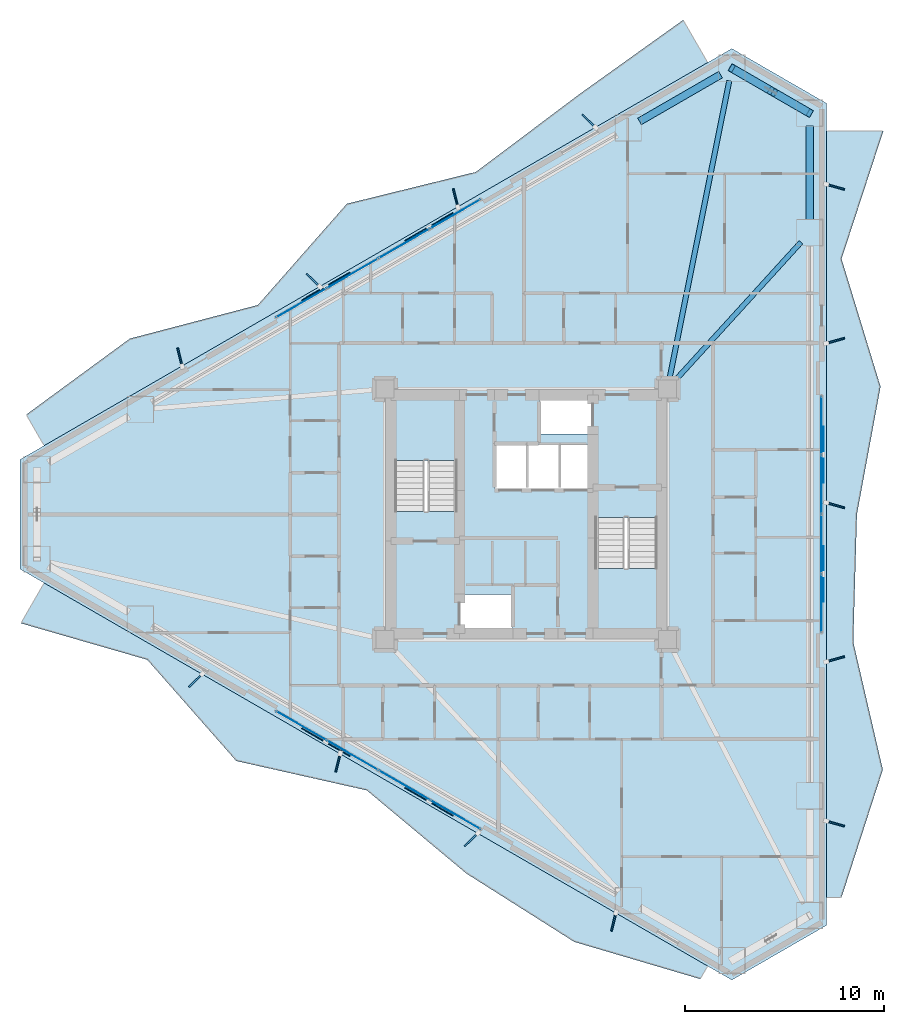
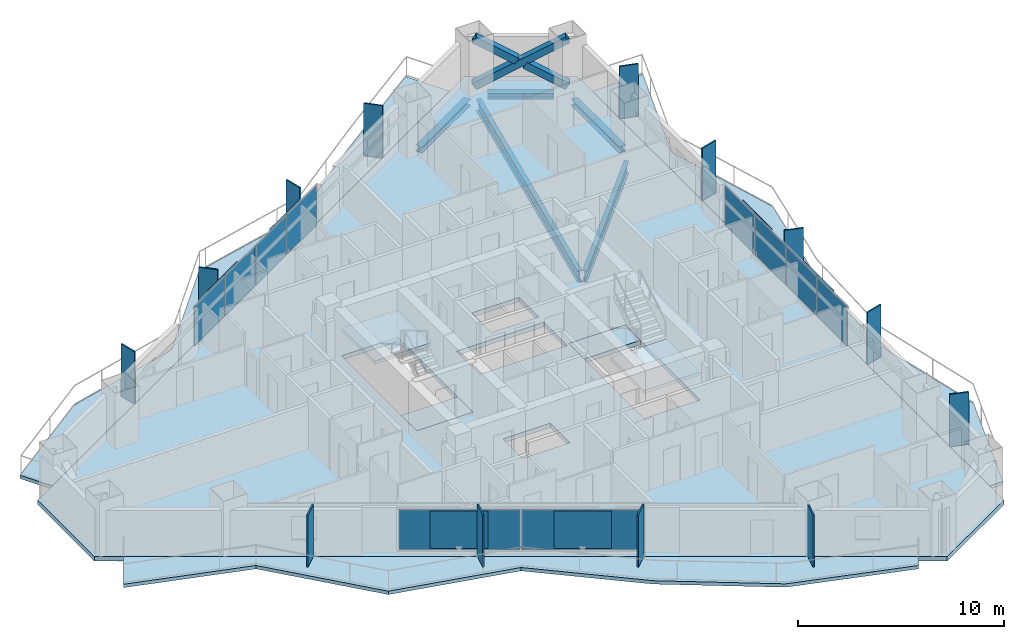
# One storey, part 10 of 18: 31 plates, 8 slabs, 5 beams, 3 members, 5 elements without a shape of their own.
"""IFC4 building model written with IfcOpenShell, lengths in metres."""

import ifcopenshell
import ifcopenshell.guid

model = None  # the IFC model being written
_history = None  # IfcOwnerHistory: only IFC2X3 demands one
_inside = {}  # id of a spatial element -> (the spatial element, [elements in it])
_under = {}  # id of a project, library or spatial element -> (it, [spatial elements below it])
_declared = {}  # id of a project -> (the project, [libraries it declares])
_typed = {}  # id of a type object -> (the type object, [elements of that type])
_made_of = {}  # id of a material, layer set ... -> (it, [elements and type objects made of it])


def new_model(schema):
    """Start an empty IFC model of exactly this schema.

    Asked for "IFC4X3", IfcOpenShell would pick the latest addendum, in which some entities
    have other attributes; the version numbers below select the first issue.
    IFC2X3 requires an IfcOwnerHistory on every rooted entity: one is made here for all.
    """
    global model, _history
    if schema == "IFC4X3":
        model = ifcopenshell.file(schema_version=(4, 3, 0, 0))
    else:
        model = ifcopenshell.file(schema=schema)
    _inside.clear()
    _under.clear()
    _declared.clear()
    _typed.clear()
    _made_of.clear()
    _history = None
    if model.schema == "IFC2X3":
        org = make("IfcOrganization", Name="unknown")
        user = make(
            "IfcPersonAndOrganization",
            ThePerson=make("IfcPerson", FamilyName="unknown"),
            TheOrganization=org,
        )
        app = make(
            "IfcApplication",
            ApplicationDeveloper=org,
            Version="unknown",
            ApplicationFullName="unknown",
            ApplicationIdentifier="unknown",
        )
        _history = make(
            "IfcOwnerHistory",
            OwningUser=user,
            OwningApplication=app,
            ChangeAction="ADDED",
            CreationDate=0,
        )
    return model


def make(cls, **values):
    """One entity of the class cls with the attributes given. An attribute that is None is left unset."""
    return model.create_entity(
        cls, **{name: value for name, value in values.items() if value is not None}
    )


def rooted(cls, **values):
    """An entity with a GlobalId (a new one), such as an element, a storey or a relation."""
    return make(cls, GlobalId=ifcopenshell.guid.new(), OwnerHistory=_history, **values)


def si_unit(unit_type, name, prefix=None):
    """IfcSIUnit, for example si_unit("LENGTHUNIT", "METRE", prefix="MILLI")."""
    return make("IfcSIUnit", UnitType=unit_type, Prefix=prefix, Name=name)


def assignment(units):
    """IfcUnitAssignment: the units of a project."""
    return None if units is None else make("IfcUnitAssignment", Units=units)


def point(xyz):
    """IfcCartesianPoint."""
    return None if xyz is None else make("IfcCartesianPoint", Coordinates=xyz)


def direction(xyz):
    """IfcDirection."""
    return None if xyz is None else make("IfcDirection", DirectionRatios=xyz)


def frame(location, z_axis=None, x_axis=None):
    """IfcAxis2Placement3D, a coordinate frame: its origin and axes. An axis left out is left unset."""
    return make(
        "IfcAxis2Placement3D",
        Location=point(location),
        Axis=direction(z_axis),
        RefDirection=direction(x_axis),
    )


def frame_2d(location, x_axis=None):
    """IfcAxis2Placement2D, a coordinate frame in the plane: its origin and x axis."""
    return make(
        "IfcAxis2Placement2D", Location=point(location), RefDirection=direction(x_axis)
    )


def origin():
    """The frame at (0, 0, 0) with its axes left unset."""
    return frame((0.0, 0.0, 0.0))


def origin_2d():
    """The frame at (0, 0) in the plane with its x axis left unset."""
    return frame_2d((0.0, 0.0))


def place(relative_to, where):
    """IfcLocalPlacement: puts the frame where relative to a parent placement (None: the world)."""
    return make(
        "IfcLocalPlacement", PlacementRelTo=relative_to, RelativePlacement=where
    )


def context(
    kind, dimensions, precision=None, world=None, true_north=None, identifier=None
):
    """IfcGeometricRepresentationContext, for example the 3D "Model" context."""
    return make(
        "IfcGeometricRepresentationContext",
        ContextIdentifier=identifier,
        ContextType=kind,
        CoordinateSpaceDimension=dimensions,
        Precision=precision,
        WorldCoordinateSystem=world,
        TrueNorth=true_north,
    )


def subcontext(parent, identifier, kind, view, scale=None):
    """IfcGeometricRepresentationSubContext, for example "Body" below "Model"."""
    return make(
        "IfcGeometricRepresentationSubContext",
        ContextIdentifier=identifier,
        ContextType=kind,
        ParentContext=parent,
        TargetScale=scale,
        TargetView=view,
    )


def project(units=None, contexts=None):
    """IfcProject with its units and contexts."""
    return rooted(
        "IfcProject",
        Name="project",
        RepresentationContexts=contexts,
        UnitsInContext=assignment(units),
    )


def spatial(cls, under=None, at=None, **own):
    """A site, building, storey or space (cls), placed at a placement, below another one or the project."""
    s = rooted(cls, ObjectPlacement=at, **own)
    if under is not None:
        _under.setdefault(under.id(), (under, []))[1].append(s)
    return s


def polyline(points):
    """IfcPolyline through the points."""
    return make("IfcPolyline", Points=[point(p) for p in points])


def profile(cls, at=None, kind="AREA", **sizes):
    """A parametric profile (cls). Its sizes go by their IFC names, for example OverallWidth=200.0."""
    return make(cls, ProfileType=kind, Position=at, **sizes)


def rectangle(**sizes):
    """IfcRectangleProfileDef."""
    return profile("IfcRectangleProfileDef", **sizes)


def hollow_rectangle(**sizes):
    """IfcRectangleHollowProfileDef."""
    return profile("IfcRectangleHollowProfileDef", **sizes)


def i_section(**sizes):
    """IfcIShapeProfileDef."""
    return profile("IfcIShapeProfileDef", **sizes)


def outline(outer, holes=None, kind="AREA"):
    """IfcArbitraryClosedProfileDef: a profile drawn as a closed curve; with holes, ...WithVoids."""
    if holes is None:
        return make("IfcArbitraryClosedProfileDef", ProfileType=kind, OuterCurve=outer)
    return make(
        "IfcArbitraryProfileDefWithVoids",
        ProfileType=kind,
        OuterCurve=outer,
        InnerCurves=holes,
    )


def extrude(swept, where, along, depth):
    """IfcExtrudedAreaSolid: the profile swept, set in the frame where, extruded along a direction by depth."""
    return make(
        "IfcExtrudedAreaSolid",
        SweptArea=swept,
        Position=where,
        ExtrudedDirection=direction(along),
        Depth=depth,
    )


def shape(context_of_items, identifier, shape_type, items):
    """IfcShapeRepresentation: the items that make up one representation, for example the "Body"."""
    return make(
        "IfcShapeRepresentation",
        ContextOfItems=context_of_items,
        RepresentationIdentifier=identifier,
        RepresentationType=shape_type,
        Items=items,
    )


def material(Name=None, Category=None):
    """IfcMaterial."""
    return make("IfcMaterial", Name=Name, Category=Category)


def layer(
    of_material, thickness, ventilated=None, Name=None, Category=None, Priority=None
):
    """IfcMaterialLayer: one layer of a wall or slab, of a material (None: an air gap)."""
    return make(
        "IfcMaterialLayer",
        Material=of_material,
        LayerThickness=thickness,
        IsVentilated=ventilated,
        Name=Name,
        Category=Category,
        Priority=Priority,
    )


def layer_set(layers, Name=None):
    """IfcMaterialLayerSet."""
    return make("IfcMaterialLayerSet", MaterialLayers=layers, LayerSetName=Name)


def material_profile(
    of_material, cross_section, Name=None, Category=None, Priority=None
):
    """IfcMaterialProfile: a cross section and its material."""
    return make(
        "IfcMaterialProfile",
        Name=Name,
        Material=of_material,
        Profile=cross_section,
        Priority=Priority,
        Category=Category,
    )


def profile_set(profiles, Name=None, composite=None):
    """IfcMaterialProfileSet."""
    return make(
        "IfcMaterialProfileSet",
        Name=Name,
        MaterialProfiles=profiles,
        CompositeProfile=composite,
    )


def made_of(thing, what):
    """Note that an element or type object is made of a material, layer set ...; save() writes the relation."""
    if what is not None:
        _made_of.setdefault(what.id(), (what, []))[1].append(thing)
    return thing


def type_object(cls, material=None, **own):
    """A type object (cls), such as IfcWallType, which elements share."""
    return made_of(rooted(cls, **own), material)


def element(
    cls,
    number,
    at=None,
    inside=None,
    cuts=None,
    type_object=None,
    material=None,
    context=None,
    identifier="Body",
    shape_type=None,
    held_by="IfcProductDefinitionShape",
    body=None,
    shapes=None,
    **own,
):
    """One element of the class cls, such as IfcWall. Its Tag is "e" and its number.

    at: its placement. inside: the storey or other place that contains it. cuts: it is an
    opening in that element (IfcRelVoidsElement). A single representation is given by context,
    identifier, shape_type and body (its items); several are given by shapes. held_by: the class
    of the entity that holds the representations. save() writes the other relations.
    """
    e = rooted(cls, Tag="e%d" % number, ObjectPlacement=at, **own)
    if body is not None:
        shapes = [shape(context, identifier, shape_type, body)]
    if shapes is not None:
        e.Representation = make(held_by, Representations=shapes)
    if inside is not None:
        _inside.setdefault(inside.id(), (inside, []))[1].append(e)
    if cuts is not None:
        rooted(
            "IfcRelVoidsElement", RelatingBuildingElement=cuts, RelatedOpeningElement=e
        )
    if type_object is not None:
        _typed.setdefault(type_object.id(), (type_object, []))[1].append(e)
    return made_of(e, material)


def aggregate(whole, parts):
    """IfcRelAggregates: a whole, such as a stair, and the parts it consists of."""
    return rooted("IfcRelAggregates", RelatingObject=whole, RelatedObjects=parts)


def save(model, path):
    """Write the relations noted so far, then the file.

    IfcRelAggregates (storeys below a building ...), IfcRelContainedInSpatialStructure (elements
    in a storey), IfcRelDefinesByType, IfcRelAssociatesMaterial and IfcRelDeclares: one each for
    every whole, place, type object, material and project.
    """
    for whole, parts in _under.values():
        aggregate(whole, parts)
    for where, things in _inside.values():
        rooted(
            "IfcRelContainedInSpatialStructure",
            RelatedElements=things,
            RelatingStructure=where,
        )
    for kind, things in _typed.values():
        rooted("IfcRelDefinesByType", RelatedObjects=things, RelatingType=kind)
    for what, things in _made_of.values():
        rooted("IfcRelAssociatesMaterial", RelatedObjects=things, RelatingMaterial=what)
    for by, libraries in _declared.values():
        rooted("IfcRelDeclares", RelatingContext=by, RelatedDefinitions=libraries)
    model.write(path)


model = new_model("IFC4")

# Units and contexts
model_context = context("Model", 3, precision=1e-05, world=origin(), true_north=direction((0.0, 1.0)))
body_context = subcontext(model_context, "Body", "Model", "MODEL_VIEW")
ifc_project = project(units=[si_unit("LENGTHUNIT", "METRE"), si_unit("AREAUNIT", "SQUARE_METRE"), si_unit("VOLUMEUNIT", "CUBIC_METRE"), si_unit("PLANEANGLEUNIT", "RADIAN"), si_unit("MASSUNIT", "GRAM", prefix="KILO")], contexts=[model_context])

# Site, building, storey
site_placement = place(None, origin())
site = spatial("IfcSite", under=ifc_project, at=site_placement, CompositionType="ELEMENT")
building_placement = place(site_placement, origin())
building = spatial("IfcBuilding", under=site, at=building_placement, Name="Mersakhor Tower and Convention Hall", CompositionType="ELEMENT")
storey_placement = place(building_placement, frame((0.0, 0.0, 32.39990234375)))
storey = spatial("IfcBuildingStorey", under=building, at=storey_placement, Name="L08", CompositionType="ELEMENT", Elevation=32.39990234375)

# Beams
ifc_material_1 = material(Name="Steel S355", Category="steel")
ifc_material_profile_1 = material_profile(ifc_material_1, i_section(OverallWidth=0.25439453125, OverallDepth=0.6875, WebThickness=0.01318359375, FlangeThickness=0.02099609375, at=origin_2d()), Name="UB 686x254x152")
ifc_profile_set_1 = profile_set([ifc_material_profile_1], Name="Steel S355")
beam_type_1 = type_object("IfcBeamType", Name="BM-PR-686", PredefinedType="BEAM", material=ifc_profile_set_1)
beam_1_placement = place(storey_placement, frame((36.1845703125, 33.4716796875, -0.603515625), z_axis=(0.196849718138, 0.980433673672, 0.0), x_axis=(-0.980433673672, 0.196849718138, 0.0)))
element("IfcBeam", 1, at=beam_1_placement, inside=storey, type_object=beam_type_1, Name="L08 Primary Floor Girder FG-2", PredefinedType="BEAM", context=body_context, shape_type="SweptSolid", body=[
    extrude(i_section(OverallWidth=0.25439453125, OverallDepth=0.6875, WebThickness=0.01318359375, FlangeThickness=0.02099609375, at=origin_2d()), origin(), (0.0, 0.0, 1.0), 15.359130859375),
])
beam_2_placement = place(storey_placement, frame((36.389404296875, 33.367919921875, -0.603515625), z_axis=(0.67316322447, 0.739493930483, 0.0), x_axis=(-0.739493930483, 0.67316322447, 0.0)))
element("IfcBeam", 2, at=beam_2_placement, inside=storey, type_object=beam_type_1, Name="L08 Primary Floor Girder FG-3", PredefinedType="BEAM", context=body_context, shape_type="SweptSolid", body=[
    extrude(i_section(OverallWidth=0.25439453125, OverallDepth=0.6875, WebThickness=0.01318359375, FlangeThickness=0.02099609375, at=origin_2d()), origin(), (0.0, 0.0, 1.0), 9.53662109375),
])
ifc_material_2 = material(Name="Steel S355", Category="steel")
ifc_material_profile_2 = material_profile(ifc_material_2, i_section(OverallWidth=0.374755859375, OverallDepth=0.37451171875, WebThickness=0.0166015625, FlangeThickness=0.027099609375, at=origin_2d()), Name="UC 356x368x202")
ifc_profile_set_2 = profile_set([ifc_material_profile_2], Name="Steel S355")
beam_type_2 = type_object("IfcBeamType", Name="BM-SPD-UC356", PredefinedType="SPANDREL", material=ifc_profile_set_2)
beam_3_placement = place(storey_placement, frame((34.700439453125, 46.49560546875, -0.447265625), z_axis=(0.866031574723, 0.499989311469, 0.0), x_axis=(-0.499989311469, 0.866031574723, 0.0)))
element("IfcBeam", 3, at=beam_3_placement, inside=storey, type_object=beam_type_2, Name="L08 Perimeter Spandrel Beam SPB-03", PredefinedType="SPANDREL", context=body_context, shape_type="SweptSolid", body=[
    extrude(i_section(OverallWidth=0.374755859375, OverallDepth=0.37451171875, WebThickness=0.0166015625, FlangeThickness=0.027099609375, at=origin_2d()), origin(), (0.0, 0.0, 1.0), 4.69873046875),
])
beam_4_placement = place(storey_placement, frame((39.904052734375, 48.844970703125, -0.447265625), z_axis=(0.866038607556, -0.4999771297, 0.0), x_axis=(0.4999771297, 0.866038607556, 0.0)))
element("IfcBeam", 4, at=beam_4_placement, inside=storey, type_object=beam_type_2, Name="L08 Perimeter Spandrel Beam SPB-04", PredefinedType="SPANDREL", context=body_context, shape_type="SweptSolid", body=[
    extrude(i_section(OverallWidth=0.374755859375, OverallDepth=0.37451171875, WebThickness=0.0166015625, FlangeThickness=0.027099609375, at=origin_2d()), origin(), (0.0, 0.0, 1.0), 3.208740234375),
])
beam_5_placement = place(storey_placement, frame((43.25, 46.25830078125, -0.447265625), z_axis=(0.0, -1.0, 0.0), x_axis=(1.0, 0.0, 0.0)))
element("IfcBeam", 5, at=beam_5_placement, inside=storey, type_object=beam_type_2, Name="L08 Perimeter Spandrel Beam SPB-05", PredefinedType="SPANDREL", context=body_context, shape_type="SweptSolid", body=[
    extrude(i_section(OverallWidth=0.374755859375, OverallDepth=0.37451171875, WebThickness=0.0166015625, FlangeThickness=0.027099609375, at=origin_2d()), origin(), (0.0, 0.0, 1.0), 4.69873046875),
])

# Members
ifc_material_3 = material(Name="Steel S460", Category="steel")
ifc_material_profile_3 = material_profile(ifc_material_3, hollow_rectangle(XDim=0.39990234375, YDim=0.39990234375, WallThickness=0.02490234375, at=origin_2d()), Name="SHS 400x400x25")
ifc_profile_set_3 = profile_set([ifc_material_profile_3], Name="Steel S460")
member_type = type_object("IfcMemberType", Name="MB-BRC-SHS400", PredefinedType="BRACE", material=ifc_profile_set_3)
member_1_placement = place(storey_placement, frame((39.3369140625, 49.172607421875, 0.150146484375), z_axis=(0.740507772322, -0.427542982597, 0.518512523632), x_axis=(0.500009315796, 0.86602002524, 0.0)))
element("IfcMember", 6, at=member_1_placement, inside=storey, type_object=member_type, Name="L08 Chamfer Braced Frame Diagonal CB-1A", PredefinedType="BRACE", context=body_context, shape_type="SweptSolid", body=[
    extrude(hollow_rectangle(XDim=0.39990234375, YDim=0.39990234375, WallThickness=0.02490234375, at=origin_2d()), origin(), (0.0, 0.0, 1.0), 5.284423828125),
])
member_2_placement = place(storey_placement, frame((43.25, 46.913330078125, 0.150146484375), z_axis=(-0.740544200614, 0.427541122117, 0.51846202931), x_axis=(-0.499989236795, -0.866031617834, 0.0)))
element("IfcMember", 7, at=member_2_placement, inside=storey, type_object=member_type, Name="L08 Chamfer Braced Frame Diagonal CB-1B Lower Half", PredefinedType="BRACE", context=body_context, shape_type="SweptSolid", body=[
    extrude(hollow_rectangle(XDim=0.39990234375, YDim=0.39990234375, WallThickness=0.02490234375, at=origin_2d()), origin(), (0.0, 0.0, 1.0), 2.40869140625),
])
member_3_placement = place(storey_placement, frame((41.12060546875, 48.142578125, 1.64111328125), z_axis=(-0.740473193976, 0.427601478974, 0.51851366827), x_axis=(-0.500078132948, -0.865980289006, 0.0)))
element("IfcMember", 8, at=member_3_placement, inside=storey, type_object=member_type, Name="L08 Chamfer Braced Frame Diagonal CB-1B Upper Half", PredefinedType="BRACE", context=body_context, shape_type="SweptSolid", body=[
    extrude(hollow_rectangle(XDim=0.39990234375, YDim=0.39990234375, WallThickness=0.02490234375, at=origin_2d()), origin(), (0.0, 0.0, 1.0), 2.408935546875),
])

# Curtain wall, plates
ifc_material_4 = material(Name="Dark solar low-E aluminium curtain wall", Category="aluminium")
ifc_layer_1 = layer(ifc_material_4, 0.159912109375)
ifc_layer_set_1 = layer_set([ifc_layer_1], Name="Dark solar low-E aluminium curtain wall")
curtain_wall_type = type_object("IfcCurtainWallType", Name="CW-SYS-01", PredefinedType="USERDEFINED", material=ifc_layer_set_1)
curtain_wall_1_placement = place(storey_placement, origin())
curtain_wall_1 = element("IfcCurtainWall", 9, at=curtain_wall_1_placement, inside=storey, type_object=curtain_wall_type, Name="L08 Dark-Glass Curtain Wall F1-B2", ObjectType="CURTAIN WALL", PredefinedType="USERDEFINED")
ifc_material_5 = material(Name="Dark solar double glazing", Category="glass")
ifc_layer_2 = layer(ifc_material_5, 0.02392578125)
ifc_layer_set_2 = layer_set([ifc_layer_2], Name="Dark solar double glazing")
plate_type_1 = type_object("IfcPlateType", Name="CWP-GLZ-24", PredefinedType="CURTAIN_PANEL", material=ifc_layer_set_2)
plate_1_placement = place(storey_placement, frame((17.702880859375, 37.375, 0.26025390625), z_axis=(0.0, 0.0, 1.0), x_axis=(0.866023412558, 0.50000344889, 0.0)))
plate_1 = element("IfcPlate", 10, at=plate_1_placement, type_object=plate_type_1, Name="CW-01 panel 1.1", PredefinedType="CURTAIN_PANEL", context=body_context, shape_type="SweptSolid", body=[
    extrude(rectangle(XDim=2.880859375, YDim=0.02392578125, at=origin_2d()), origin(), (0.0, 0.0, 1.0), 2.340087890625),
])
plate_2_placement = place(storey_placement, frame((20.27880859375, 38.862060546875, 0.26025390625), z_axis=(0.0, 0.0, 1.0), x_axis=(0.866023412558, 0.50000344889, 0.0)))
plate_2 = element("IfcPlate", 11, at=plate_2_placement, type_object=plate_type_1, Name="CW-01 panel 2.1", PredefinedType="CURTAIN_PANEL", context=body_context, shape_type="SweptSolid", body=[
    extrude(rectangle(XDim=2.918212890625, YDim=0.02392578125, at=origin_2d()), origin(), (0.0, 0.0, 1.0), 2.340087890625),
])
plate_3_placement = place(storey_placement, frame((22.87109375, 40.35888671875, 0.26025390625), z_axis=(0.0, 0.0, 1.0), x_axis=(0.866023412558, 0.50000344889, 0.0)))
plate_3 = element("IfcPlate", 12, at=plate_3_placement, type_object=plate_type_1, Name="CW-01 panel 3.1", PredefinedType="CURTAIN_PANEL", context=body_context, shape_type="SweptSolid", body=[
    extrude(rectangle(XDim=2.918212890625, YDim=0.02392578125, at=origin_2d()), origin(), (0.0, 0.0, 1.0), 2.340087890625),
])
plate_4_placement = place(storey_placement, frame((25.447021484375, 41.84619140625, 0.26025390625), z_axis=(0.0, 0.0, 1.0), x_axis=(0.866023412558, 0.50000344889, 0.0)))
plate_4 = element("IfcPlate", 13, at=plate_4_placement, type_object=plate_type_1, Name="CW-01 panel 4.1", PredefinedType="CURTAIN_PANEL", context=body_context, shape_type="SweptSolid", body=[
    extrude(rectangle(XDim=2.880859375, YDim=0.02392578125, at=origin_2d()), origin(), (0.0, 0.0, 1.0), 2.340087890625),
])
aggregate(curtain_wall_1, [plate_1, plate_2, plate_3, plate_4])

curtain_wall_2_placement = place(storey_placement, origin())
curtain_wall_2 = element("IfcCurtainWall", 14, at=curtain_wall_2_placement, inside=storey, type_object=curtain_wall_type, Name="L08 Dark-Glass Curtain Wall F2-B2", ObjectType="CURTAIN WALL", PredefinedType="USERDEFINED")
plate_5_placement = place(storey_placement, frame((43.85009765625, 31.22119140625, 0.26025390625), z_axis=(0.0, 0.0, 1.0), x_axis=(0.0, -1.0, 0.0)))
plate_5 = element("IfcPlate", 15, at=plate_5_placement, type_object=plate_type_1, Name="CW-01 panel 1.1", PredefinedType="CURTAIN_PANEL", context=body_context, shape_type="SweptSolid", body=[
    extrude(rectangle(XDim=2.880859375, YDim=0.02392578125, at=origin_2d()), origin(), (0.0, 0.0, 1.0), 2.340087890625),
])
plate_6_placement = place(storey_placement, frame((43.85009765625, 28.24658203125, 0.26025390625), z_axis=(0.0, 0.0, 1.0), x_axis=(0.0, -1.0, 0.0)))
plate_6 = element("IfcPlate", 16, at=plate_6_placement, type_object=plate_type_1, Name="CW-01 panel 2.1", PredefinedType="CURTAIN_PANEL", context=body_context, shape_type="SweptSolid", body=[
    extrude(rectangle(XDim=2.918212890625, YDim=0.02392578125, at=origin_2d()), origin(), (0.0, 0.0, 1.0), 2.340087890625),
])
plate_7_placement = place(storey_placement, frame((43.85009765625, 25.25341796875, 0.26025390625), z_axis=(0.0, 0.0, 1.0), x_axis=(0.0, -1.0, 0.0)))
plate_7 = element("IfcPlate", 17, at=plate_7_placement, type_object=plate_type_1, Name="CW-01 panel 3.1", PredefinedType="CURTAIN_PANEL", context=body_context, shape_type="SweptSolid", body=[
    extrude(rectangle(XDim=2.918212890625, YDim=0.02392578125, at=origin_2d()), origin(), (0.0, 0.0, 1.0), 2.340087890625),
])
plate_8_placement = place(storey_placement, frame((43.85009765625, 22.27880859375, 0.26025390625), z_axis=(0.0, 0.0, 1.0), x_axis=(0.0, -1.0, 0.0)))
plate_8 = element("IfcPlate", 18, at=plate_8_placement, type_object=plate_type_1, Name="CW-01 panel 4.1", PredefinedType="CURTAIN_PANEL", context=body_context, shape_type="SweptSolid", body=[
    extrude(rectangle(XDim=2.880859375, YDim=0.02392578125, at=origin_2d()), origin(), (0.0, 0.0, 1.0), 2.340087890625),
])
aggregate(curtain_wall_2, [plate_5, plate_6, plate_7, plate_8])

curtain_wall_3_placement = place(storey_placement, origin())
curtain_wall_3 = element("IfcCurtainWall", 19, at=curtain_wall_3_placement, inside=storey, type_object=curtain_wall_type, Name="L08 Dark-Glass Curtain Wall F3-B2", ObjectType="CURTAIN WALL", PredefinedType="USERDEFINED")
plate_9_placement = place(storey_placement, frame((25.447021484375, 11.65380859375, 0.26025390625), z_axis=(0.0, 0.0, 1.0), x_axis=(-0.866023412558, 0.50000344889, 0.0)))
plate_9 = element("IfcPlate", 20, at=plate_9_placement, type_object=plate_type_1, Name="CW-01 panel 1.1", PredefinedType="CURTAIN_PANEL", context=body_context, shape_type="SweptSolid", body=[
    extrude(rectangle(XDim=2.880859375, YDim=0.02392578125, at=origin_2d()), origin(), (0.0, 0.0, 1.0), 2.340087890625),
])
plate_10_placement = place(storey_placement, frame((22.87109375, 13.14111328125, 0.26025390625), z_axis=(0.0, 0.0, 1.0), x_axis=(-0.866023412558, 0.50000344889, 0.0)))
plate_10 = element("IfcPlate", 21, at=plate_10_placement, type_object=plate_type_1, Name="CW-01 panel 2.1", PredefinedType="CURTAIN_PANEL", context=body_context, shape_type="SweptSolid", body=[
    extrude(rectangle(XDim=2.918212890625, YDim=0.02392578125, at=origin_2d()), origin(), (0.0, 0.0, 1.0), 2.340087890625),
])
plate_11_placement = place(storey_placement, frame((20.27880859375, 14.637939453125, 0.26025390625), z_axis=(0.0, 0.0, 1.0), x_axis=(-0.866023412558, 0.50000344889, 0.0)))
plate_11 = element("IfcPlate", 22, at=plate_11_placement, type_object=plate_type_1, Name="CW-01 panel 3.1", PredefinedType="CURTAIN_PANEL", context=body_context, shape_type="SweptSolid", body=[
    extrude(rectangle(XDim=2.918212890625, YDim=0.02392578125, at=origin_2d()), origin(), (0.0, 0.0, 1.0), 2.340087890625),
])
plate_12_placement = place(storey_placement, frame((17.702880859375, 16.125, 0.26025390625), z_axis=(0.0, 0.0, 1.0), x_axis=(-0.866023412558, 0.50000344889, 0.0)))
plate_12 = element("IfcPlate", 23, at=plate_12_placement, type_object=plate_type_1, Name="CW-01 panel 4.1", PredefinedType="CURTAIN_PANEL", context=body_context, shape_type="SweptSolid", body=[
    extrude(rectangle(XDim=2.880859375, YDim=0.02392578125, at=origin_2d()), origin(), (0.0, 0.0, 1.0), 2.340087890625),
])
aggregate(curtain_wall_3, [plate_9, plate_10, plate_11, plate_12])

# Plates
ifc_material_6 = material(Name="Ceramic-clad aluminium Zone 1 cobalt-slate", Category="masonry")
ifc_material_7 = material(Name="Ceramic-clad aluminium Zone 1 cobalt-slate", Category="masonry")
ifc_layer_3 = layer(ifc_material_7, 0.080078125)
ifc_layer_set_3 = layer_set([ifc_layer_3], Name="Ceramic-clad aluminium Zone 1 cobalt-slate")
plate_type_2 = type_object("IfcPlateType", Name="PL-FIN-80", PredefinedType="USERDEFINED", material=ifc_layer_set_3)
for number, where, z_axis, x_axis, name in (
    (24, (11.598876953125, 34.6435546875, 0.0), (0.0, 0.0, 1.0), (-0.2419218956, 0.970295726276, 0.0), "L08 Zone 1 Coloured Brise-Soleil Fin F1-1"),
    (25, (18.30029296875, 38.5126953125, 0.0), (0.0, 0.0, 1.0), (-0.719339800339, 0.694658370459, 0.0), "L08 Zone 1 Coloured Brise-Soleil Fin F1-2"),
    (26, (25.455078125, 42.6435546875, 0.0), (0.0, 0.0, 1.0), (-0.2419218956, 0.970295726276, 0.0), "L08 Zone 1 Coloured Brise-Soleil Fin F1-3"),
    (27, (32.15673828125, 46.5126953125, 0.0), (0.0, 0.0, 1.0), (-0.719339800339, 0.694658370459, 0.0), "L08 Zone 1 Coloured Brise-Soleil Fin F1-4"),
    (28, (44.53662109375, 43.206298828125, 0.0), (0.0, 0.0, 1.0), (0.961261695938, -0.275637355817, 0.0), "L08 Zone 1 Coloured Brise-Soleil Fin F2-1"),
    (29, (44.53662109375, 35.46826171875, 0.0), (0.0, 0.0, 1.0), (0.961261695938, 0.275637355817, 0.0), "L08 Zone 1 Coloured Brise-Soleil Fin F2-2"),
    (30, (44.53662109375, 27.206298828125, 0.0), (0.0, 0.0, 1.0), (0.961261695938, -0.275637355817, 0.0), "L08 Zone 1 Coloured Brise-Soleil Fin F2-3"),
    (31, (44.53662109375, 19.46826171875, 0.0), (0.0, 0.0, 1.0), (0.961261695938, 0.275637355817, 0.0), "L08 Zone 1 Coloured Brise-Soleil Fin F2-4"),
    (32, (44.53662109375, 11.206298828125, 0.0), (0.0, 0.0, 1.0), (0.961261695938, -0.275637355817, 0.0), "L08 Zone 1 Coloured Brise-Soleil Fin F2-5"),
    (33, (33.400634765625, 6.26904296875, 0.0), (0.0, 0.0, 1.0), (-0.2419218956, -0.970295726276, 0.0), "L08 Zone 1 Coloured Brise-Soleil Fin F3-1"),
    (34, (26.245849609375, 10.39990234375, 0.0), (0.0, 0.0, 1.0), (-0.719339800339, -0.694658370459, 0.0), "L08 Zone 1 Coloured Brise-Soleil Fin F3-2"),
    (35, (19.544189453125, 14.26904296875, 0.0), (0.0, 0.0, 1.0), (-0.2419218956, -0.970295726276, 0.0), "L08 Zone 1 Coloured Brise-Soleil Fin F3-3"),
    (36, (12.389404296875, 18.39990234375, 0.0), (0.0, 0.0, 1.0), (-0.719339800339, -0.694658370459, 0.0), "L08 Zone 1 Coloured Brise-Soleil Fin F3-4"),
):
    element("IfcPlate", number, at=place(storey_placement, frame(where, z_axis=z_axis, x_axis=x_axis)), inside=storey, type_object=plate_type_2, material=ifc_material_6, Name=name, ObjectType="FIN", PredefinedType="USERDEFINED", context=body_context, shape_type="SweptSolid", body=[
        extrude(rectangle(XDim=0.949951171875, YDim=0.080078125, at=origin_2d()), origin(), (0.0, 0.0, 1.0), 3.10009765625),
    ])
ifc_material_8 = material(Name="Perforated ceramic cobogo solar screen", Category="aluminium")
ifc_layer_4 = layer(ifc_material_8, 0.048095703125)
ifc_layer_set_4 = layer_set([ifc_layer_4], Name="Perforated ceramic cobogo solar screen")
plate_type_3 = type_object("IfcPlateType", Name="PL-SCR-48", PredefinedType="USERDEFINED", material=ifc_layer_set_4)
for number, where, z_axis, x_axis, name in (
    (37, (18.935791015625, 38.1953125, 0.400146484375), (0.0, 0.0, 1.0), (0.866025403784, 0.5, 0.0), "L08 Perforated Ceramic Solar Screen F1-1"),
    (38, (24.120361328125, 41.1884765625, 0.400146484375), (0.0, 0.0, 1.0), (0.866025403784, 0.5, 0.0), "L08 Perforated Ceramic Solar Screen F1-2"),
    (39, (43.944091796875, 29.743408203125, 0.400146484375), (0.0, 0.0, 1.0), (0.0, -1.0, 0.0), "L08 Perforated Ceramic Solar Screen F2-1"),
    (40, (43.944091796875, 23.756591796875, 0.400146484375), (0.0, 0.0, 1.0), (0.0, -1.0, 0.0), "L08 Perforated Ceramic Solar Screen F2-2"),
    (41, (24.1201171875, 12.311279296875, 0.400146484375), (0.0, 0.0, 1.0), (-0.866025403784, 0.5, 0.0), "L08 Perforated Ceramic Solar Screen F3-1"),
    (42, (18.935791015625, 15.3046875, 0.400146484375), (0.0, 0.0, 1.0), (-0.866025403784, 0.5, 0.0), "L08 Perforated Ceramic Solar Screen F3-2"),
):
    element("IfcPlate", number, at=place(storey_placement, frame(where, z_axis=z_axis, x_axis=x_axis)), inside=storey, type_object=plate_type_3, Name=name, ObjectType="SCREEN", PredefinedType="USERDEFINED", context=body_context, shape_type="SweptSolid", body=[
        extrude(rectangle(XDim=2.800048828125, YDim=0.048095703125, at=origin_2d()), origin(), (0.0, 0.0, 1.0), 2.2099609375),
    ])

# Slabs
ifc_material_9 = material(Name="Concrete C45/55", Category="concrete")
ifc_layer_5 = layer(ifc_material_9, 0.199951171875)
ifc_layer_set_5 = layer_set([ifc_layer_5], Name="Concrete C45/55")
slab_type_1 = type_object("IfcSlabType", Name="SL-BAL-200", PredefinedType="FLOOR", material=ifc_layer_set_5)
slab_1_placement = place(storey_placement, frame((0.0, 0.0, -0.199951171875)))
element("IfcSlab", 43, at=slab_1_placement, inside=storey, type_object=slab_type_1, Name="L08 Sinusoidal Balcony Slab Face 1", PredefinedType="FLOOR", context=body_context, shape_type="SweptSolid", body=[
    extrude(outline(polyline([(4.775390625, 30.199951171875), (38.12451171875, 49.4541015625), (36.889892578125, 51.59228515625), (31.64501953125, 47.8408203125), (26.4775390625, 43.955078125), (19.989990234375, 42.355712890625), (15.516845703125, 37.267578125), (9.08154296875, 35.577880859375), (3.87548828125, 31.7587890625), (4.775390625, 30.199951171875)])), origin(), (0.0, 0.0, 1.0), 0.199951171875),
])
slab_2_placement = place(storey_placement, frame((0.0, 0.0, -0.199951171875)))
element("IfcSlab", 44, at=slab_2_placement, inside=storey, type_object=slab_type_1, Name="L08 Sinusoidal Balcony Slab Face 2", PredefinedType="FLOOR", context=body_context, shape_type="SweptSolid", body=[
    extrude(outline(polyline([(44.10009765625, 46.00390625), (44.10009765625, 7.49609375), (44.85009765625, 7.49609375), (46.92578125, 13.9140625), (45.439208984375, 20.33203125), (45.623291015625, 26.75), (46.810546875, 33.16796875), (44.85009765625, 39.5859375), (46.947998046875, 46.00390625), (44.10009765625, 46.00390625)])), origin(), (0.0, 0.0, 1.0), 0.199951171875),
])
slab_3_placement = place(storey_placement, frame((0.0, 0.0, -0.199951171875)))
element("IfcSlab", 45, at=slab_3_placement, inside=storey, type_object=slab_type_1, Name="L08 Sinusoidal Balcony Slab Face 3", PredefinedType="FLOOR", context=body_context, shape_type="SweptSolid", body=[
    extrude(outline(polyline([(38.12451171875, 4.0458984375), (4.775390625, 23.300048828125), (3.606201171875, 21.274658203125), (9.958740234375, 19.44140625), (14.431884765625, 14.353271484375), (20.990966796875, 12.877685546875), (25.99072265625, 8.701904296875), (31.416259765625, 5.26318359375), (37.748291015625, 3.394775390625), (38.12451171875, 4.0458984375)])), origin(), (0.0, 0.0, 1.0), 0.199951171875),
])
ifc_material_10 = material(Name="Concrete C45/55", Category="concrete")
ifc_layer_6 = layer(ifc_material_10, 0.260009765625)
ifc_layer_set_6 = layer_set([ifc_layer_6], Name="Concrete C45/55")
slab_type_2 = type_object("IfcSlabType", Name="SL-FLR-260", PredefinedType="FLOOR", material=ifc_layer_set_6)
slab_4_placement = place(storey_placement, frame((0.0, 0.0, -0.260009765625)))
element("IfcSlab", 46, at=slab_4_placement, inside=storey, type_object=slab_type_2, Name="L08 ST-1 Structural Stair Floor Landing", PredefinedType="LANDING", context=body_context, shape_type="SweptSolid", body=[
    extrude(outline(polyline([(25.550048828125, 25.39990234375), (25.550048828125, 26.89990234375), (22.39990234375, 26.89990234375), (22.39990234375, 25.39990234375), (25.550048828125, 25.39990234375)])), origin(), (0.0, 0.0, 1.0), 0.260009765625),
])
slab_5_placement = place(storey_placement, frame((0.0, 0.0, -0.260009765625)))
element("IfcSlab", 47, at=slab_5_placement, inside=storey, type_object=slab_type_2, Name="L08 ST-2 Structural Stair Floor Landing", PredefinedType="LANDING", context=body_context, shape_type="SweptSolid", body=[
    extrude(outline(polyline([(32.449951171875, 28.10009765625), (32.449951171875, 26.60009765625), (35.60009765625, 26.60009765625), (35.60009765625, 28.10009765625), (32.449951171875, 28.10009765625)])), origin(), (0.0, 0.0, 1.0), 0.260009765625),
])
slab_6_placement = place(storey_placement, frame((0.0, 0.0, -0.260009765625)))
element("IfcSlab", 48, at=slab_6_placement, inside=storey, type_object=slab_type_2, Name="Tower L08 Structural Floor Slab", PredefinedType="FLOOR", context=body_context, shape_type="SweptSolid", body=[
    extrude(outline(polyline([(3.56298828125, 29.5), (39.3369140625, 50.154052734375), (44.10009765625, 47.404052734375), (44.10009765625, 6.095947265625), (39.3369140625, 3.345947265625), (3.56298828125, 24.0), (3.56298828125, 29.5)]), holes=[polyline([(25.550048828125, 25.39990234375), (25.550048828125, 32.699951171875), (22.39990234375, 32.699951171875), (22.39990234375, 25.39990234375), (25.550048828125, 25.39990234375)]), polyline([(32.449951171875, 28.10009765625), (32.449951171875, 20.800048828125), (35.60009765625, 20.800048828125), (35.60009765625, 28.10009765625), (32.449951171875, 28.10009765625)]), polyline([(25.679931640625, 20.820068359375), (25.679931640625, 22.719970703125), (28.320068359375, 22.719970703125), (28.320068359375, 20.820068359375), (25.679931640625, 20.820068359375)]), polyline([(29.679931640625, 30.780029296875), (29.679931640625, 32.679931640625), (32.320068359375, 32.679931640625), (32.320068359375, 30.780029296875), (29.679931640625, 30.780029296875)]), polyline([(27.429931640625, 28.0), (27.429931640625, 30.25), (32.320068359375, 30.25), (32.320068359375, 28.0), (27.429931640625, 28.0)])]), origin(), (0.0, 0.0, 1.0), 0.260009765625),
])

# Stair, slab
ifc_material_11 = material(Name="Concrete C45/55", Category="concrete")
stair_type = type_object("IfcStairType", Name="ST-TWR-20R", PredefinedType="HALF_TURN_STAIR", material=ifc_material_11)
stair_1_placement = place(storey_placement, origin())
stair_1 = element("IfcStair", 49, at=stair_1_placement, inside=storey, type_object=stair_type, Name="L08 Tower Protected Exit Stair ST-1", PredefinedType="HALF_TURN_STAIR")
ifc_material_12 = material(Name="Concrete C45/55", Category="concrete")
ifc_layer_7 = layer(ifc_material_12, 0.199951171875)
ifc_layer_set_7 = layer_set([ifc_layer_7], Name="Concrete C45/55")
slab_type_3 = type_object("IfcSlabType", Name="SL-LAND-200", PredefinedType="LANDING", material=ifc_layer_set_7)
slab_7_placement = place(storey_placement, frame((0.0, 0.0, 1.4501953125)))
slab_7 = element("IfcSlab", 50, at=slab_7_placement, type_object=slab_type_3, Name="ST-1 landing 1", PredefinedType="LANDING", context=body_context, shape_type="SweptSolid", body=[
    extrude(outline(polyline([(25.550048828125, 29.465087890625), (25.550048828125, 32.699951171875), (22.39990234375, 32.699951171875), (22.39990234375, 29.465087890625), (25.550048828125, 29.465087890625)])), origin(), (0.0, 0.0, 1.0), 0.199951171875),
])
aggregate(stair_1, [slab_7])

stair_2_placement = place(storey_placement, origin())
stair_2 = element("IfcStair", 51, at=stair_2_placement, inside=storey, type_object=stair_type, Name="L08 Tower Protected Exit Stair ST-2", PredefinedType="HALF_TURN_STAIR")
slab_8_placement = place(storey_placement, frame((0.0, 0.0, 1.4501953125)))
slab_8 = element("IfcSlab", 52, at=slab_8_placement, type_object=slab_type_3, Name="ST-2 landing 1", PredefinedType="LANDING", context=body_context, shape_type="SweptSolid", body=[
    extrude(outline(polyline([(32.449951171875, 24.034912109375), (32.449951171875, 20.800048828125), (35.60009765625, 20.800048828125), (35.60009765625, 24.034912109375), (32.449951171875, 24.034912109375)])), origin(), (0.0, 0.0, 1.0), 0.199951171875),
])
aggregate(stair_2, [slab_8])

save(model, "model.ifc")
